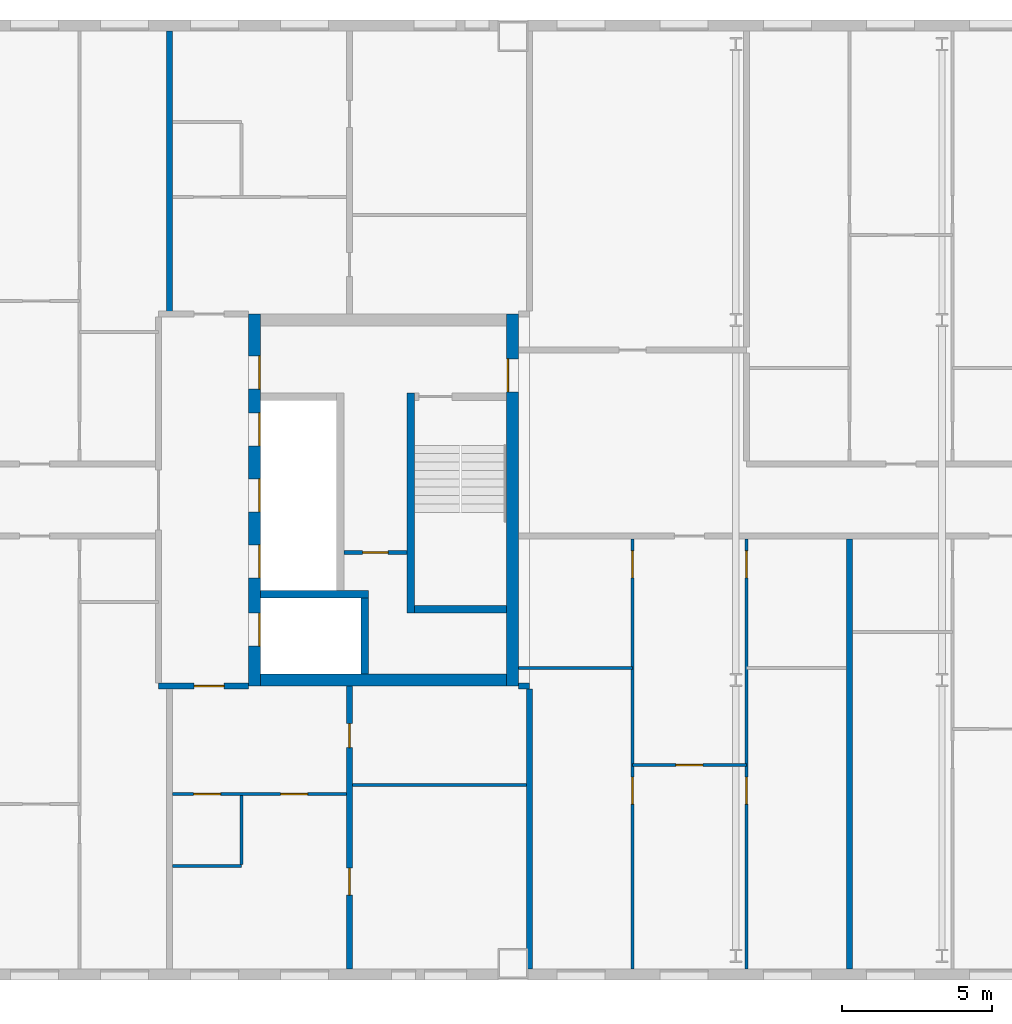
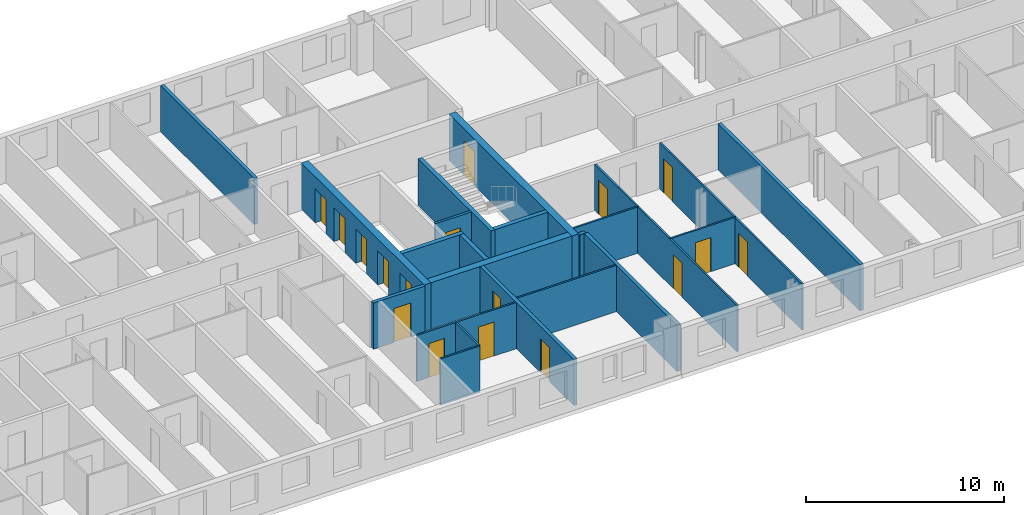
# One storey, part 8 of 19: 22 walls, 17 doors, 17 openings.
"""IFC4 building model written with IfcOpenShell, lengths in metres."""

from ifc_helpers import new_model, si_unit, direction, frame, frame_2d, origin, place, context, subcontext, project, spatial, rectangle, extrude, material, layer, layer_set, type_object, element, fill, save


model = new_model("IFC4")

# Units and contexts
model_context = context("Model", 3, precision=1e-05, world=origin(), true_north=direction((0.0, 1.0)))
body_context = subcontext(model_context, "Body", "Model", "MODEL_VIEW")
ifc_project = project(units=[si_unit("LENGTHUNIT", "METRE"), si_unit("AREAUNIT", "SQUARE_METRE"), si_unit("VOLUMEUNIT", "CUBIC_METRE"), si_unit("PLANEANGLEUNIT", "RADIAN"), si_unit("MASSUNIT", "GRAM", prefix="KILO")], contexts=[model_context])

# Site, building, storey
site_placement = place(None, origin())
site = spatial("IfcSite", under=ifc_project, at=site_placement, CompositionType="ELEMENT")
building_placement = place(site_placement, origin())
building = spatial("IfcBuilding", under=site, at=building_placement, Name="Tuart Gate Housing", CompositionType="ELEMENT")
storey_placement = place(building_placement, frame((0.0, 0.0, 209.0)))
storey = spatial("IfcBuildingStorey", under=building, at=storey_placement, Name="L59", CompositionType="ELEMENT", Elevation=209.0)

# Wall, opening, door
ifc_material_1 = material(Name="Plasterboard partition")
ifc_layer_1 = layer(ifc_material_1, 0.14990234375)
ifc_layer_set_1 = layer_set([ifc_layer_1], Name="Core partition 150")
wall_type_1 = type_object("IfcWallType", Name="Core partition 150", PredefinedType="PARTITIONING", material=ifc_layer_set_1)
wall_1_placement = place(storey_placement, frame((69.81494140625, 68.25, 0.0), z_axis=(0.0, 0.0, 1.0), x_axis=(1.0, 0.0, 0.0)))
wall_1 = element("IfcWall", 1, at=wall_1_placement, inside=storey, type_object=wall_type_1, Name="Core partition AG.3", PredefinedType="PARTITIONING", context=body_context, shape_type="SweptSolid", body=[
    extrude(rectangle(XDim=2.10009765625, YDim=0.14990234375, at=frame_2d((1.050048828125, 0.0))), origin(), (0.0, 0.0, 1.0), 2.85009765625),
])
opening_1_placement = place(wall_1_placement, frame((0.625, 0.0, 0.0)))
opening_1 = element("IfcOpeningElement", 2, at=opening_1_placement, cuts=wall_1, Name="Opening D2144", PredefinedType="OPENING", context=body_context, shape_type="SweptSolid", body=[
    extrude(rectangle(XDim=0.85009765625, YDim=2.10009765625, at=frame_2d((0.425048828125, 1.050048828125))), frame((0.0, 0.0849609375, 0.0), z_axis=(0.0, -1.0, 0.0), x_axis=(1.0, 0.0, 0.0)), (0.0, 0.0, 1.0), 0.169921875),
])
ifc_material_2 = material(Name="Steel fire door", Category="steel")
door_type_1 = type_object("IfcDoorType", Name="Riser door 850 x 2100 RH", OperationType="SINGLE_SWING_RIGHT", PredefinedType="DOOR", material=ifc_material_2)
door_1_placement = place(opening_1_placement, frame((0.85009765625, 0.0, 0.0), z_axis=(0.0, 0.0, 1.0), x_axis=(-1.0, 0.0, 0.0)))
door_1 = element("IfcDoor", 3, at=door_1_placement, inside=storey, type_object=door_type_1, Name="Service room door AG.E1", OperationType="SINGLE_SWING_RIGHT", OverallHeight=2.10009765625, OverallWidth=0.85009765625, PredefinedType="DOOR", context=body_context, shape_type="SweptSolid", body=[
    extrude(rectangle(XDim=0.85009765625, YDim=2.10009765625, at=frame_2d((0.425048828125, 1.050048828125))), frame((0.0, 0.025146484375, 0.0), z_axis=(0.0, -1.0, 0.0), x_axis=(1.0, 0.0, 0.0)), (0.0, 0.0, 1.0), 0.050048828125),
])
fill(opening_1, door_1)

# Walls
ifc_material_3 = material(Name="Concrete C40", Category="concrete")
ifc_layer_2 = layer(ifc_material_3, 0.25)
ifc_layer_set_2 = layer_set([ifc_layer_2], Name="Core wall 250 C40")
wall_type_2 = type_object("IfcWallType", Name="Core wall 250 C40", PredefinedType="SHEAR", material=ifc_layer_set_2)
wall_2_placement = place(storey_placement, frame((72.1650390625, 66.35009765625, 0.0), z_axis=(0.0, 0.0, 1.0), x_axis=(1.0, 0.0, 0.0)))
element("IfcWall", 4, at=wall_2_placement, inside=storey, type_object=wall_type_2, Name="Core wall AG.1", PredefinedType="SHEAR", context=body_context, shape_type="SweptSolid", body=[
    extrude(rectangle(XDim=3.074951171875, YDim=0.25, at=frame_2d((1.53759765625, 0.0))), origin(), (0.0, 0.0, 1.0), 2.85009765625),
])
wall_3_placement = place(storey_placement, frame((67.0400390625, 66.85009765625, 0.0), z_axis=(0.0, 0.0, 1.0), x_axis=(1.0, 0.0, 0.0)))
element("IfcWall", 5, at=wall_3_placement, inside=storey, type_object=wall_type_2, Name="Core wall AG.2", PredefinedType="SHEAR", context=body_context, shape_type="SweptSolid", body=[
    extrude(rectangle(XDim=3.594970703125, YDim=0.25, at=frame_2d((1.79736328125, 0.0))), origin(), (0.0, 0.0, 1.0), 2.85009765625),
])
wall_4_placement = place(storey_placement, frame((70.510009765625, 64.199951171875, 0.0), z_axis=(0.0, 0.0, 1.0), x_axis=(0.0, 1.0, 0.0)))
element("IfcWall", 6, at=wall_4_placement, inside=storey, type_object=wall_type_2, Name="Core wall AG.7", PredefinedType="SHEAR", context=body_context, shape_type="SweptSolid", body=[
    extrude(rectangle(XDim=2.525146484375, YDim=0.25, at=frame_2d((1.2626953125, 0.0))), origin(), (0.0, 0.0, 1.0), 2.85009765625),
])
wall_5_placement = place(storey_placement, frame((72.0400390625, 66.22509765625, 0.0), z_axis=(0.0, 0.0, 1.0), x_axis=(0.0, 1.0, 0.0)))
element("IfcWall", 7, at=wall_5_placement, inside=storey, type_object=wall_type_2, Name="Core wall AG.8", PredefinedType="SHEAR", context=body_context, shape_type="SweptSolid", body=[
    extrude(rectangle(XDim=7.349853515625, YDim=0.25, at=frame_2d((3.6748046875, 0.0))), origin(), (0.0, 0.0, 1.0), 2.85009765625),
])

# Wall, openings, doors
ifc_material_4 = material(Name="Concrete C40", Category="concrete")
ifc_layer_3 = layer(ifc_material_4, 0.39990234375)
ifc_layer_set_3 = layer_set([ifc_layer_3], Name="Core wall 400 C40")
wall_type_3 = type_object("IfcWallType", Name="Core wall 400 C40", PredefinedType="SHEAR", material=ifc_layer_set_3)
wall_6_placement = place(storey_placement, frame((66.840087890625, 63.800048828125, 0.0), z_axis=(0.0, 0.0, 1.0), x_axis=(0.0, 1.0, 0.0)))
wall_6 = element("IfcWall", 8, at=wall_6_placement, inside=storey, type_object=wall_type_3, Name="Core wall AG front", PredefinedType="SHEAR", context=body_context, shape_type="SweptSolid", body=[
    extrude(rectangle(XDim=12.39990234375, YDim=0.39990234375, at=frame_2d((6.199951171875, 0.0))), origin(), (0.0, 0.0, 1.0), 2.85009765625),
])
opening_2_placement = place(wall_6_placement, frame((1.324951171875, 0.0, 0.0)))
opening_2 = element("IfcOpeningElement", 9, at=opening_2_placement, cuts=wall_6, Name="Opening LD-FA1", PredefinedType="OPENING", context=body_context, shape_type="SweptSolid", body=[
    extrude(rectangle(XDim=1.10009765625, YDim=2.10009765625, at=frame_2d((0.550048828125, 1.050048828125))), frame((0.0, 0.2099609375, 0.0), z_axis=(0.0, -1.0, 0.0), x_axis=(1.0, 0.0, 0.0)), (0.0, 0.0, 1.0), 0.419921875),
])
opening_3_placement = place(wall_6_placement, frame((3.60009765625, 0.0, 0.0)))
opening_3 = element("IfcOpeningElement", 10, at=opening_3_placement, cuts=wall_6, Name="Opening LD-LA1", PredefinedType="OPENING", context=body_context, shape_type="SweptSolid", body=[
    extrude(rectangle(XDim=1.10009765625, YDim=2.10009765625, at=frame_2d((0.550048828125, 1.050048828125))), frame((0.0, 0.2099609375, 0.0), z_axis=(0.0, -1.0, 0.0), x_axis=(1.0, 0.0, 0.0)), (0.0, 0.0, 1.0), 0.419921875),
])
opening_4_placement = place(wall_6_placement, frame((5.800048828125, 0.0, 0.0)))
opening_4 = element("IfcOpeningElement", 11, at=opening_4_placement, cuts=wall_6, Name="Opening LD-LA2", PredefinedType="OPENING", context=body_context, shape_type="SweptSolid", body=[
    extrude(rectangle(XDim=1.10009765625, YDim=2.10009765625, at=frame_2d((0.550048828125, 1.050048828125))), frame((0.0, 0.2099609375, 0.0), z_axis=(0.0, -1.0, 0.0), x_axis=(1.0, 0.0, 0.0)), (0.0, 0.0, 1.0), 0.419921875),
])
opening_5_placement = place(wall_6_placement, frame((8.0, 0.0, 0.0)))
opening_5 = element("IfcOpeningElement", 12, at=opening_5_placement, cuts=wall_6, Name="Opening LD-LA3", PredefinedType="OPENING", context=body_context, shape_type="SweptSolid", body=[
    extrude(rectangle(XDim=1.10009765625, YDim=2.10009765625, at=frame_2d((0.550048828125, 1.050048828125))), frame((0.0, 0.2099609375, 0.0), z_axis=(0.0, -1.0, 0.0), x_axis=(1.0, 0.0, 0.0)), (0.0, 0.0, 1.0), 0.419921875),
])
opening_6_placement = place(wall_6_placement, frame((9.89990234375, 0.0, 0.0)))
opening_6 = element("IfcOpeningElement", 13, at=opening_6_placement, cuts=wall_6, Name="Opening D2140", PredefinedType="OPENING", context=body_context, shape_type="SweptSolid", body=[
    extrude(rectangle(XDim=1.10009765625, YDim=2.10009765625, at=frame_2d((0.550048828125, 1.050048828125))), frame((0.0, 0.2099609375, 0.0), z_axis=(0.0, -1.0, 0.0), x_axis=(1.0, 0.0, 0.0)), (0.0, 0.0, 1.0), 0.419921875),
])
ifc_material_5 = material(Name="Stainless steel", Category="steel")
door_type_2 = type_object("IfcDoorType", Name="Landing door 1100 x 2100", OperationType="DOUBLE_DOOR_SLIDING", PredefinedType="DOOR", material=ifc_material_5)
door_2_placement = place(opening_2_placement, origin())
door_2 = element("IfcDoor", 14, at=door_2_placement, inside=storey, type_object=door_type_2, Name="Lift landing door FA1", OperationType="DOUBLE_DOOR_SLIDING", OverallHeight=2.10009765625, OverallWidth=1.10009765625, PredefinedType="DOOR", context=body_context, shape_type="SweptSolid", body=[
    extrude(rectangle(XDim=1.10009765625, YDim=2.10009765625, at=frame_2d((0.550048828125, 1.050048828125))), frame((0.0, -0.134765625, 0.0), z_axis=(0.0, -1.0, 0.0), x_axis=(1.0, 0.0, 0.0)), (0.0, 0.0, 1.0), 0.050048828125),
])
fill(opening_2, door_2)
door_3_placement = place(opening_3_placement, origin())
door_3 = element("IfcDoor", 15, at=door_3_placement, inside=storey, type_object=door_type_2, Name="Lift landing door LA1", OperationType="DOUBLE_DOOR_SLIDING", OverallHeight=2.10009765625, OverallWidth=1.10009765625, PredefinedType="DOOR", context=body_context, shape_type="SweptSolid", body=[
    extrude(rectangle(XDim=1.10009765625, YDim=2.10009765625, at=frame_2d((0.550048828125, 1.050048828125))), frame((0.0, -0.134765625, 0.0), z_axis=(0.0, -1.0, 0.0), x_axis=(1.0, 0.0, 0.0)), (0.0, 0.0, 1.0), 0.050048828125),
])
fill(opening_3, door_3)
door_4_placement = place(opening_4_placement, origin())
door_4 = element("IfcDoor", 16, at=door_4_placement, inside=storey, type_object=door_type_2, Name="Lift landing door LA2", OperationType="DOUBLE_DOOR_SLIDING", OverallHeight=2.10009765625, OverallWidth=1.10009765625, PredefinedType="DOOR", context=body_context, shape_type="SweptSolid", body=[
    extrude(rectangle(XDim=1.10009765625, YDim=2.10009765625, at=frame_2d((0.550048828125, 1.050048828125))), frame((0.0, -0.134765625, 0.0), z_axis=(0.0, -1.0, 0.0), x_axis=(1.0, 0.0, 0.0)), (0.0, 0.0, 1.0), 0.050048828125),
])
fill(opening_4, door_4)
door_5_placement = place(opening_5_placement, origin())
door_5 = element("IfcDoor", 17, at=door_5_placement, inside=storey, type_object=door_type_2, Name="Lift landing door LA3", OperationType="DOUBLE_DOOR_SLIDING", OverallHeight=2.10009765625, OverallWidth=1.10009765625, PredefinedType="DOOR", context=body_context, shape_type="SweptSolid", body=[
    extrude(rectangle(XDim=1.10009765625, YDim=2.10009765625, at=frame_2d((0.550048828125, 1.050048828125))), frame((0.0, -0.134765625, 0.0), z_axis=(0.0, -1.0, 0.0), x_axis=(1.0, 0.0, 0.0)), (0.0, 0.0, 1.0), 0.050048828125),
])
fill(opening_5, door_5)
ifc_material_6 = material(Name="Steel fire door", Category="steel")
door_type_3 = type_object("IfcDoorType", Name="Lobby door 1100 x 2100 RH", OperationType="SINGLE_SWING_RIGHT", PredefinedType="DOOR", material=ifc_material_6)
door_6_placement = place(opening_6_placement, frame((1.10009765625, 0.0, 0.0), z_axis=(0.0, 0.0, 1.0), x_axis=(-1.0, 0.0, 0.0)))
door_6 = element("IfcDoor", 18, at=door_6_placement, inside=storey, type_object=door_type_3, Name="Lobby entry door AG.EN", OperationType="SINGLE_SWING_RIGHT", OverallHeight=2.10009765625, OverallWidth=1.10009765625, PredefinedType="DOOR", context=body_context, shape_type="SweptSolid", body=[
    extrude(rectangle(XDim=1.10009765625, YDim=2.10009765625, at=frame_2d((0.550048828125, 1.050048828125))), frame((0.0, 0.184814453125, 0.0), z_axis=(0.0, -1.0, 0.0), x_axis=(1.0, 0.0, 0.0)), (0.0, 0.0, 1.0), 0.050048828125),
])
fill(opening_6, door_6)

# Wall, opening, door
wall_7_placement = place(storey_placement, frame((75.43994140625, 63.800048828125, 0.0), z_axis=(0.0, 0.0, 1.0), x_axis=(0.0, 1.0, 0.0)))
wall_7 = element("IfcWall", 19, at=wall_7_placement, inside=storey, type_object=wall_type_3, Name="Core wall AG back", PredefinedType="SHEAR", context=body_context, shape_type="SweptSolid", body=[
    extrude(rectangle(XDim=12.39990234375, YDim=0.39990234375, at=frame_2d((6.199951171875, 0.0))), origin(), (0.0, 0.0, 1.0), 2.85009765625),
])
opening_7_placement = place(wall_7_placement, frame((9.800048828125, 0.0, 0.0)))
opening_7 = element("IfcOpeningElement", 20, at=opening_7_placement, cuts=wall_7, Name="Opening D2141", PredefinedType="OPENING", context=body_context, shape_type="SweptSolid", body=[
    extrude(rectangle(XDim=1.10009765625, YDim=2.10009765625, at=frame_2d((0.550048828125, 1.050048828125))), frame((0.0, 0.2099609375, 0.0), z_axis=(0.0, -1.0, 0.0), x_axis=(1.0, 0.0, 0.0)), (0.0, 0.0, 1.0), 0.419921875),
])
ifc_material_7 = material(Name="Steel fire door", Category="steel")
door_type_4 = type_object("IfcDoorType", Name="Lobby door 1100 x 2100", OperationType="SINGLE_SWING_LEFT", PredefinedType="DOOR", material=ifc_material_7)
door_7_placement = place(opening_7_placement, origin())
door_7 = element("IfcDoor", 21, at=door_7_placement, inside=storey, type_object=door_type_4, Name="Link door AG.LK", OperationType="SINGLE_SWING_LEFT", OverallHeight=2.10009765625, OverallWidth=1.10009765625, PredefinedType="DOOR", context=body_context, shape_type="SweptSolid", body=[
    extrude(rectangle(XDim=1.10009765625, YDim=2.10009765625, at=frame_2d((0.550048828125, 1.050048828125))), frame((0.0, 0.18505859375, 0.0), z_axis=(0.0, -1.0, 0.0), x_axis=(1.0, 0.0, 0.0)), (0.0, 0.0, 1.0), 0.050048828125),
])
fill(opening_7, door_7)

# Wall
wall_8_placement = place(storey_placement, frame((67.0400390625, 64.0, 0.0), z_axis=(0.0, 0.0, 1.0), x_axis=(1.0, 0.0, 0.0)))
element("IfcWall", 22, at=wall_8_placement, inside=storey, type_object=wall_type_3, Name="Core wall AG south", PredefinedType="SHEAR", context=body_context, shape_type="SweptSolid", body=[
    extrude(rectangle(XDim=8.199951171875, YDim=0.39990234375, at=frame_2d((4.10009765625, 0.0))), origin(), (0.0, 0.0, 1.0), 2.85009765625),
])

# Wall, opening, door
ifc_material_8 = material(Name="Concrete masonry 15 MPa", Category="masonry")
ifc_layer_4 = layer(ifc_material_8, 0.199951171875)
ifc_layer_set_4 = layer_set([ifc_layer_4], Name="Enclosure wall masonry 200")
wall_type_4 = type_object("IfcWallType", Name="Enclosure wall masonry 200", PredefinedType="PARTITIONING", material=ifc_layer_set_4)
wall_9_placement = place(storey_placement, frame((63.639892578125, 63.800048828125, 0.0), z_axis=(0.0, 0.0, 1.0), x_axis=(1.0, 0.0, 0.0)))
wall_9 = element("IfcWall", 23, at=wall_9_placement, inside=storey, type_object=wall_type_4, Name="Enclosure wall masonry 200", PredefinedType="PARTITIONING", context=body_context, shape_type="SweptSolid", body=[
    extrude(rectangle(XDim=3.0, YDim=0.199951171875, at=frame_2d((1.5, 0.0))), origin(), (0.0, 0.0, 1.0), 2.85009765625),
])
opening_8_placement = place(wall_9_placement, frame((1.179931640625, 0.0, 0.0)))
opening_8 = element("IfcOpeningElement", 24, at=opening_8_placement, cuts=wall_9, Name="Opening D2147", PredefinedType="OPENING", context=body_context, shape_type="SweptSolid", body=[
    extrude(rectangle(XDim=1.0, YDim=2.10009765625, at=frame_2d((0.5, 1.050048828125))), frame((0.0, 0.10986328125, 0.0), z_axis=(0.0, -1.0, 0.0), x_axis=(1.0, 0.0, 0.0)), (0.0, 0.0, 1.0), 0.219970703125),
])
ifc_material_9 = material(Name="Timber door leaf in steel frame", Category="steel")
door_type_5 = type_object("IfcDoorType", Name="Flat entrance door 1000 RH", OperationType="SINGLE_SWING_RIGHT", PredefinedType="DOOR", material=ifc_material_9)
door_8_placement = place(opening_8_placement, frame((1.0, 0.0, 0.0), z_axis=(0.0, 0.0, 1.0), x_axis=(-1.0, 0.0, 0.0)))
door_8 = element("IfcDoor", 25, at=door_8_placement, inside=storey, type_object=door_type_5, Name="Flat entrance door", OperationType="SINGLE_SWING_RIGHT", OverallHeight=2.10009765625, OverallWidth=1.0, PredefinedType="DOOR", context=body_context, shape_type="SweptSolid", body=[
    extrude(rectangle(XDim=1.0, YDim=2.10009765625, at=frame_2d((0.5, 1.050048828125))), frame((0.0, 0.025146484375, 0.0), z_axis=(0.0, -1.0, 0.0), x_axis=(1.0, 0.0, 0.0)), (0.0, 0.0, 1.0), 0.050048828125),
])
fill(opening_8, door_8)

# Wall
ifc_material_10 = material(Name="Gypsum board on steel studs", Category="steel")
ifc_layer_5 = layer(ifc_material_10, 0.10009765625)
ifc_layer_set_5 = layer_set([ifc_layer_5], Name="Partition 100")
wall_type_5 = type_object("IfcWallType", Name="Partition 100", PredefinedType="PARTITIONING", material=ifc_layer_set_5)
wall_10_placement = place(storey_placement, frame((64.10009765625, 57.800048828125, 0.0), z_axis=(0.0, 0.0, 1.0), x_axis=(1.0, 0.0, 0.0)))
element("IfcWall", 26, at=wall_10_placement, inside=storey, type_object=wall_type_5, Name="Partition 100", PredefinedType="PARTITIONING", context=body_context, shape_type="SweptSolid", body=[
    extrude(rectangle(XDim=2.2998046875, YDim=0.10009765625, at=frame_2d((1.14990234375, 0.0))), origin(), (0.0, 0.0, 1.0), 2.85009765625),
])

# Wall, openings, doors
wall_11_placement = place(storey_placement, frame((64.10009765625, 60.199951171875, 0.0), z_axis=(0.0, 0.0, 1.0), x_axis=(1.0, 0.0, 0.0)))
wall_11 = element("IfcWall", 27, at=wall_11_placement, inside=storey, type_object=wall_type_5, Name="Partition 100", PredefinedType="PARTITIONING", context=body_context, shape_type="SweptSolid", body=[
    extrude(rectangle(XDim=5.7998046875, YDim=0.10009765625, at=frame_2d((2.89990234375, 0.0))), origin(), (0.0, 0.0, 1.0), 2.85009765625),
])
opening_9_placement = place(wall_11_placement, frame((3.60009765625, 0.0, 0.0)))
opening_9 = element("IfcOpeningElement", 28, at=opening_9_placement, cuts=wall_11, Name="Opening D2160", PredefinedType="OPENING", context=body_context, shape_type="SweptSolid", body=[
    extrude(rectangle(XDim=0.89990234375, YDim=2.10009765625, at=frame_2d((0.449951171875, 1.050048828125))), frame((0.0, 0.06005859375, 0.0), z_axis=(0.0, -1.0, 0.0), x_axis=(1.0, 0.0, 0.0)), (0.0, 0.0, 1.0), 0.1201171875),
])
opening_10_placement = place(wall_11_placement, frame((0.699951171875, 0.0, 0.0)))
opening_10 = element("IfcOpeningElement", 29, at=opening_10_placement, cuts=wall_11, Name="Opening D2159", PredefinedType="OPENING", context=body_context, shape_type="SweptSolid", body=[
    extrude(rectangle(XDim=0.89990234375, YDim=2.10009765625, at=frame_2d((0.449951171875, 1.050048828125))), frame((0.0, 0.06005859375, 0.0), z_axis=(0.0, -1.0, 0.0), x_axis=(1.0, 0.0, 0.0)), (0.0, 0.0, 1.0), 0.1201171875),
])
ifc_material_11 = material(Name="Timber door leaf in steel frame", Category="steel")
door_type_6 = type_object("IfcDoorType", Name="Bathroom door 900", OperationType="SINGLE_SWING_LEFT", PredefinedType="DOOR", material=ifc_material_11)
door_9_placement = place(opening_10_placement, frame((0.89990234375, 0.0, 0.0), z_axis=(0.0, 0.0, 1.0), x_axis=(-1.0, 0.0, 0.0)))
door_9 = element("IfcDoor", 30, at=door_9_placement, inside=storey, type_object=door_type_6, Name="Bathroom door", OperationType="SINGLE_SWING_LEFT", OverallHeight=2.10009765625, OverallWidth=0.89990234375, PredefinedType="DOOR", context=body_context, shape_type="SweptSolid", body=[
    extrude(rectangle(XDim=0.89990234375, YDim=2.10009765625, at=frame_2d((0.449951171875, 1.050048828125))), frame((0.0, 0.025146484375, 0.0), z_axis=(0.0, -1.0, 0.0), x_axis=(1.0, 0.0, 0.0)), (0.0, 0.0, 1.0), 0.050048828125),
])
fill(opening_10, door_9)
ifc_material_12 = material(Name="Timber door leaf in steel frame", Category="steel")
door_type_7 = type_object("IfcDoorType", Name="Internal door 900 RH", OperationType="SINGLE_SWING_RIGHT", PredefinedType="DOOR", material=ifc_material_12)
door_10_placement = place(opening_9_placement, origin())
door_10 = element("IfcDoor", 31, at=door_10_placement, inside=storey, type_object=door_type_7, Name="Internal door", OperationType="SINGLE_SWING_RIGHT", OverallHeight=2.10009765625, OverallWidth=0.89990234375, PredefinedType="DOOR", context=body_context, shape_type="SweptSolid", body=[
    extrude(rectangle(XDim=0.89990234375, YDim=2.10009765625, at=frame_2d((0.449951171875, 1.050048828125))), frame((0.0, 0.02490234375, 0.0), z_axis=(0.0, -1.0, 0.0), x_axis=(1.0, 0.0, 0.0)), (0.0, 0.0, 1.0), 0.050048828125),
])
fill(opening_9, door_10)

# Wall
wall_12_placement = place(storey_placement, frame((70.10009765625, 60.5, 0.0), z_axis=(0.0, 0.0, 1.0), x_axis=(1.0, 0.0, 0.0)))
element("IfcWall", 32, at=wall_12_placement, inside=storey, type_object=wall_type_5, Name="Partition 100", PredefinedType="PARTITIONING", context=body_context, shape_type="SweptSolid", body=[
    extrude(rectangle(XDim=5.7998046875, YDim=0.10009765625, at=frame_2d((2.89990234375, 0.0))), origin(), (0.0, 0.0, 1.0), 2.85009765625),
])

# Wall, opening, door
wall_13_placement = place(storey_placement, frame((79.43798828125, 61.159912109375, 0.0), z_axis=(0.0, 0.0, 1.0), x_axis=(1.0, 0.0, 0.0)))
wall_13 = element("IfcWall", 33, at=wall_13_placement, inside=storey, type_object=wall_type_5, Name="Partition 100", PredefinedType="PARTITIONING", context=body_context, shape_type="SweptSolid", body=[
    extrude(rectangle(XDim=3.787109375, YDim=0.10009765625, at=frame_2d((1.8935546875, 0.0))), origin(), (0.0, 0.0, 1.0), 2.85009765625),
])
opening_11_placement = place(wall_13_placement, frame((1.443603515625, 0.0, 0.0)))
opening_11 = element("IfcOpeningElement", 34, at=opening_11_placement, cuts=wall_13, Name="Opening D2222", PredefinedType="OPENING", context=body_context, shape_type="SweptSolid", body=[
    extrude(rectangle(XDim=0.89990234375, YDim=2.10009765625, at=frame_2d((0.449951171875, 1.050048828125))), frame((0.0, 0.06005859375, 0.0), z_axis=(0.0, -1.0, 0.0), x_axis=(1.0, 0.0, 0.0)), (0.0, 0.0, 1.0), 0.1201171875),
])
ifc_material_13 = material(Name="Timber door leaf in steel frame", Category="steel")
door_type_8 = type_object("IfcDoorType", Name="Internal door 900", OperationType="SINGLE_SWING_LEFT", PredefinedType="DOOR", material=ifc_material_13)
door_11_placement = place(opening_11_placement, origin())
door_11 = element("IfcDoor", 35, at=door_11_placement, inside=storey, type_object=door_type_8, Name="Internal door", OperationType="SINGLE_SWING_LEFT", OverallHeight=2.10009765625, OverallWidth=0.89990234375, PredefinedType="DOOR", context=body_context, shape_type="SweptSolid", body=[
    extrude(rectangle(XDim=0.89990234375, YDim=2.10009765625, at=frame_2d((0.449951171875, 1.050048828125))), frame((0.0, 0.02490234375, 0.0), z_axis=(0.0, -1.0, 0.0), x_axis=(1.0, 0.0, 0.0)), (0.0, 0.0, 1.0), 0.050048828125),
])
fill(opening_11, door_11)

# Walls
wall_14_placement = place(storey_placement, frame((75.639892578125, 64.39990234375, 0.0), z_axis=(0.0, 0.0, 1.0), x_axis=(1.0, 0.0, 0.0)))
element("IfcWall", 36, at=wall_14_placement, inside=storey, type_object=wall_type_5, Name="Partition 100", PredefinedType="PARTITIONING", context=body_context, shape_type="SweptSolid", body=[
    extrude(rectangle(XDim=3.798095703125, YDim=0.10009765625, at=frame_2d((1.89892578125, 0.0))), origin(), (0.0, 0.0, 1.0), 2.85009765625),
])
wall_15_placement = place(storey_placement, frame((66.39990234375, 57.85009765625, 0.0), z_axis=(0.0, 0.0, 1.0), x_axis=(0.0, 1.0, 0.0)))
element("IfcWall", 37, at=wall_15_placement, inside=storey, type_object=wall_type_5, Name="Partition 100", PredefinedType="PARTITIONING", context=body_context, shape_type="SweptSolid", body=[
    extrude(rectangle(XDim=2.2998046875, YDim=0.10009765625, at=frame_2d((1.14990234375, 0.0))), origin(), (0.0, 0.0, 1.0), 2.85009765625),
])

# Wall, openings, doors
wall_16_placement = place(storey_placement, frame((79.43798828125, 54.360107421875, 0.0), z_axis=(0.0, 0.0, 1.0), x_axis=(0.0, 1.0, 0.0)))
wall_16 = element("IfcWall", 38, at=wall_16_placement, inside=storey, type_object=wall_type_5, Name="Partition 100", PredefinedType="PARTITIONING", context=body_context, shape_type="SweptSolid", body=[
    extrude(rectangle(XDim=14.33984375, YDim=0.10009765625, at=frame_2d((7.169921875, 0.0))), origin(), (0.0, 0.0, 1.0), 2.85009765625),
])
opening_12_placement = place(wall_16_placement, frame((5.5, 0.0, 0.0)))
opening_12 = element("IfcOpeningElement", 39, at=opening_12_placement, cuts=wall_16, Name="Opening D2203", PredefinedType="OPENING", context=body_context, shape_type="SweptSolid", body=[
    extrude(rectangle(XDim=0.89990234375, YDim=2.10009765625, at=frame_2d((0.449951171875, 1.050048828125))), frame((0.0, 0.06005859375, 0.0), z_axis=(0.0, -1.0, 0.0), x_axis=(1.0, 0.0, 0.0)), (0.0, 0.0, 1.0), 0.1201171875),
])
opening_13_placement = place(wall_16_placement, frame((13.0400390625, 0.0, 0.0)))
opening_13 = element("IfcOpeningElement", 40, at=opening_13_placement, cuts=wall_16, Name="Opening D2202", PredefinedType="OPENING", context=body_context, shape_type="SweptSolid", body=[
    extrude(rectangle(XDim=0.89990234375, YDim=2.10009765625, at=frame_2d((0.449951171875, 1.050048828125))), frame((0.0, 0.06005859375, 0.0), z_axis=(0.0, -1.0, 0.0), x_axis=(1.0, 0.0, 0.0)), (0.0, 0.0, 1.0), 0.1201171875),
])
ifc_material_14 = material(Name="Timber door leaf in steel frame", Category="steel")
door_type_9 = type_object("IfcDoorType", Name="Bathroom door 900 RH", OperationType="SINGLE_SWING_RIGHT", PredefinedType="DOOR", material=ifc_material_14)
door_12_placement = place(opening_13_placement, origin())
door_12 = element("IfcDoor", 41, at=door_12_placement, inside=storey, type_object=door_type_9, Name="Bathroom door", OperationType="SINGLE_SWING_RIGHT", OverallHeight=2.10009765625, OverallWidth=0.89990234375, PredefinedType="DOOR", context=body_context, shape_type="SweptSolid", body=[
    extrude(rectangle(XDim=0.89990234375, YDim=2.10009765625, at=frame_2d((0.449951171875, 1.050048828125))), frame((0.0, 0.02490234375, 0.0), z_axis=(0.0, -1.0, 0.0), x_axis=(1.0, 0.0, 0.0)), (0.0, 0.0, 1.0), 0.050048828125),
])
fill(opening_13, door_12)
door_13_placement = place(opening_12_placement, origin())
door_13 = element("IfcDoor", 42, at=door_13_placement, inside=storey, type_object=door_type_7, Name="Internal door", OperationType="SINGLE_SWING_RIGHT", OverallHeight=2.10009765625, OverallWidth=0.89990234375, PredefinedType="DOOR", context=body_context, shape_type="SweptSolid", body=[
    extrude(rectangle(XDim=0.89990234375, YDim=2.10009765625, at=frame_2d((0.449951171875, 1.050048828125))), frame((0.0, 0.02490234375, 0.0), z_axis=(0.0, -1.0, 0.0), x_axis=(1.0, 0.0, 0.0)), (0.0, 0.0, 1.0), 0.050048828125),
])
fill(opening_12, door_13)

wall_17_placement = place(storey_placement, frame((83.22509765625, 54.360107421875, 0.0), z_axis=(0.0, 0.0, 1.0), x_axis=(0.0, 1.0, 0.0)))
wall_17 = element("IfcWall", 43, at=wall_17_placement, inside=storey, type_object=wall_type_5, Name="Partition 100", PredefinedType="PARTITIONING", context=body_context, shape_type="SweptSolid", body=[
    extrude(rectangle(XDim=14.33984375, YDim=0.10009765625, at=frame_2d((7.169921875, 0.0))), origin(), (0.0, 0.0, 1.0), 2.85009765625),
])
opening_14_placement = place(wall_17_placement, frame((5.5, 0.0, 0.0)))
opening_14 = element("IfcOpeningElement", 44, at=opening_14_placement, cuts=wall_17, Name="Opening D2205", PredefinedType="OPENING", context=body_context, shape_type="SweptSolid", body=[
    extrude(rectangle(XDim=0.89990234375, YDim=2.10009765625, at=frame_2d((0.449951171875, 1.050048828125))), frame((0.0, 0.06005859375, 0.0), z_axis=(0.0, -1.0, 0.0), x_axis=(1.0, 0.0, 0.0)), (0.0, 0.0, 1.0), 0.1201171875),
])
opening_15_placement = place(wall_17_placement, frame((13.0400390625, 0.0, 0.0)))
opening_15 = element("IfcOpeningElement", 45, at=opening_15_placement, cuts=wall_17, Name="Opening D2204", PredefinedType="OPENING", context=body_context, shape_type="SweptSolid", body=[
    extrude(rectangle(XDim=0.89990234375, YDim=2.10009765625, at=frame_2d((0.449951171875, 1.050048828125))), frame((0.0, 0.06005859375, 0.0), z_axis=(0.0, -1.0, 0.0), x_axis=(1.0, 0.0, 0.0)), (0.0, 0.0, 1.0), 0.1201171875),
])
door_14_placement = place(opening_15_placement, frame((0.89990234375, 0.0, 0.0), z_axis=(0.0, 0.0, 1.0), x_axis=(-1.0, 0.0, 0.0)))
door_14 = element("IfcDoor", 46, at=door_14_placement, inside=storey, type_object=door_type_6, Name="Bathroom door", OperationType="SINGLE_SWING_LEFT", OverallHeight=2.10009765625, OverallWidth=0.89990234375, PredefinedType="DOOR", context=body_context, shape_type="SweptSolid", body=[
    extrude(rectangle(XDim=0.89990234375, YDim=2.10009765625, at=frame_2d((0.449951171875, 1.050048828125))), frame((0.0, 0.025146484375, 0.0), z_axis=(0.0, -1.0, 0.0), x_axis=(1.0, 0.0, 0.0)), (0.0, 0.0, 1.0), 0.050048828125),
])
fill(opening_15, door_14)
door_15_placement = place(opening_14_placement, frame((0.89990234375, 0.0, 0.0), z_axis=(0.0, 0.0, 1.0), x_axis=(-1.0, 0.0, 0.0)))
door_15 = element("IfcDoor", 47, at=door_15_placement, inside=storey, type_object=door_type_8, Name="Internal door", OperationType="SINGLE_SWING_LEFT", OverallHeight=2.10009765625, OverallWidth=0.89990234375, PredefinedType="DOOR", context=body_context, shape_type="SweptSolid", body=[
    extrude(rectangle(XDim=0.89990234375, YDim=2.10009765625, at=frame_2d((0.449951171875, 1.050048828125))), frame((0.0, 0.025146484375, 0.0), z_axis=(0.0, -1.0, 0.0), x_axis=(1.0, 0.0, 0.0)), (0.0, 0.0, 1.0), 0.050048828125),
])
fill(opening_14, door_15)

# Wall
ifc_material_15 = material(Name="Concrete C40", Category="concrete")
ifc_layer_6 = layer(ifc_material_15, 0.199951171875)
ifc_layer_set_6 = layer_set([ifc_layer_6], Name="Party wall concrete C40 200")
wall_type_6 = type_object("IfcWallType", Name="Party wall concrete C40 200", PredefinedType="SOLIDWALL", material=ifc_layer_set_6)
wall_18_placement = place(storey_placement, frame((64.0, 76.199951171875, 0.0), z_axis=(0.0, 0.0, 1.0), x_axis=(0.0, 1.0, 0.0)))
element("IfcWall", 48, at=wall_18_placement, inside=storey, type_object=wall_type_6, Name="Party wall concrete C40 200", PredefinedType="SOLIDWALL", context=body_context, shape_type="SweptSolid", body=[
    extrude(rectangle(XDim=9.43994140625, YDim=0.199951171875, at=frame_2d((4.719970703125, 0.0))), origin(), (0.0, 0.0, 1.0), 2.85009765625),
])

# Wall, openings, doors
wall_19_placement = place(storey_placement, frame((70.0, 54.360107421875, 0.0), z_axis=(0.0, 0.0, 1.0), x_axis=(0.0, 1.0, 0.0)))
wall_19 = element("IfcWall", 49, at=wall_19_placement, inside=storey, type_object=wall_type_6, Name="Party wall concrete C40 200", PredefinedType="SOLIDWALL", context=body_context, shape_type="SweptSolid", body=[
    extrude(rectangle(XDim=9.43994140625, YDim=0.199951171875, at=frame_2d((4.719970703125, 0.0))), origin(), (0.0, 0.0, 1.0), 2.85009765625),
])
opening_16_placement = place(wall_19_placement, frame((2.469970703125, 0.0, 0.0)))
opening_16 = element("IfcOpeningElement", 50, at=opening_16_placement, cuts=wall_19, Name="Opening D2163", PredefinedType="OPENING", context=body_context, shape_type="SweptSolid", body=[
    extrude(rectangle(XDim=0.89990234375, YDim=2.10009765625, at=frame_2d((0.449951171875, 1.050048828125))), frame((0.0, 0.10986328125, 0.0), z_axis=(0.0, -1.0, 0.0), x_axis=(1.0, 0.0, 0.0)), (0.0, 0.0, 1.0), 0.219970703125),
])
opening_17_placement = place(wall_19_placement, frame((7.389892578125, 0.0, 0.0)))
opening_17 = element("IfcOpeningElement", 51, at=opening_17_placement, cuts=wall_19, Name="Opening D2164", PredefinedType="OPENING", context=body_context, shape_type="SweptSolid", body=[
    extrude(rectangle(XDim=0.800048828125, YDim=2.10009765625, at=frame_2d((0.39990234375, 1.050048828125))), frame((0.0, 0.10986328125, 0.0), z_axis=(0.0, -1.0, 0.0), x_axis=(1.0, 0.0, 0.0)), (0.0, 0.0, 1.0), 0.219970703125),
])
door_16_placement = place(opening_16_placement, frame((0.89990234375, 0.0, 0.0), z_axis=(0.0, 0.0, 1.0), x_axis=(-1.0, 0.0, 0.0)))
door_16 = element("IfcDoor", 52, at=door_16_placement, inside=storey, type_object=door_type_7, Name="Internal door", OperationType="SINGLE_SWING_RIGHT", OverallHeight=2.10009765625, OverallWidth=0.89990234375, PredefinedType="DOOR", context=body_context, shape_type="SweptSolid", body=[
    extrude(rectangle(XDim=0.89990234375, YDim=2.10009765625, at=frame_2d((0.449951171875, 1.050048828125))), frame((0.0, 0.025146484375, 0.0), z_axis=(0.0, -1.0, 0.0), x_axis=(1.0, 0.0, 0.0)), (0.0, 0.0, 1.0), 0.050048828125),
])
fill(opening_16, door_16)
ifc_material_16 = material(Name="Timber door leaf in steel frame", Category="steel")
door_type_10 = type_object("IfcDoorType", Name="Store door 800 RH", OperationType="SINGLE_SWING_RIGHT", PredefinedType="DOOR", material=ifc_material_16)
door_17_placement = place(opening_17_placement, frame((0.800048828125, 0.0, 0.0), z_axis=(0.0, 0.0, 1.0), x_axis=(-1.0, 0.0, 0.0)))
door_17 = element("IfcDoor", 53, at=door_17_placement, inside=storey, type_object=door_type_10, Name="Store door", OperationType="SINGLE_SWING_RIGHT", OverallHeight=2.10009765625, OverallWidth=0.800048828125, PredefinedType="DOOR", context=body_context, shape_type="SweptSolid", body=[
    extrude(rectangle(XDim=0.800048828125, YDim=2.10009765625, at=frame_2d((0.400146484375, 1.050048828125))), frame((0.0, 0.025146484375, 0.0), z_axis=(0.0, -1.0, 0.0), x_axis=(1.0, 0.0, 0.0)), (0.0, 0.0, 1.0), 0.050048828125),
])
fill(opening_17, door_17)

# Walls
ifc_material_17 = material(Name="Concrete masonry 15 MPa", Category="masonry")
ifc_layer_7 = layer(ifc_material_17, 0.199951171875)
ifc_layer_set_7 = layer_set([ifc_layer_7], Name="Party wall masonry 200")
wall_type_7 = type_object("IfcWallType", Name="Party wall masonry 200", PredefinedType="PARTITIONING", material=ifc_layer_set_7)
wall_20_placement = place(storey_placement, frame((75.639892578125, 63.800048828125, 0.0), z_axis=(0.0, 0.0, 1.0), x_axis=(1.0, 0.0, 0.0)))
element("IfcWall", 54, at=wall_20_placement, inside=storey, type_object=wall_type_7, Name="Party wall masonry 200", PredefinedType="PARTITIONING", context=body_context, shape_type="SweptSolid", body=[
    extrude(rectangle(XDim=0.360107421875, YDim=0.199951171875, at=frame_2d((0.18017578125, 0.0))), origin(), (0.0, 0.0, 1.0), 2.85009765625),
])
wall_21_placement = place(storey_placement, frame((76.0, 54.360107421875, 0.0), z_axis=(0.0, 0.0, 1.0), x_axis=(0.0, 1.0, 0.0)))
element("IfcWall", 55, at=wall_21_placement, inside=storey, type_object=wall_type_7, Name="Party wall masonry 200", PredefinedType="PARTITIONING", context=body_context, shape_type="SweptSolid", body=[
    extrude(rectangle(XDim=9.33984375, YDim=0.199951171875, at=frame_2d((4.669921875, 0.0))), origin(), (0.0, 0.0, 1.0), 2.85009765625),
])
wall_22_placement = place(storey_placement, frame((86.662109375, 54.360107421875, 0.0), z_axis=(0.0, 0.0, 1.0), x_axis=(0.0, 1.0, 0.0)))
element("IfcWall", 56, at=wall_22_placement, inside=storey, type_object=wall_type_7, Name="Party wall masonry 200", PredefinedType="PARTITIONING", context=body_context, shape_type="SweptSolid", body=[
    extrude(rectangle(XDim=14.33984375, YDim=0.199951171875, at=frame_2d((7.169921875, 0.0))), origin(), (0.0, 0.0, 1.0), 2.85009765625),
])

save(model, "model.ifc")
